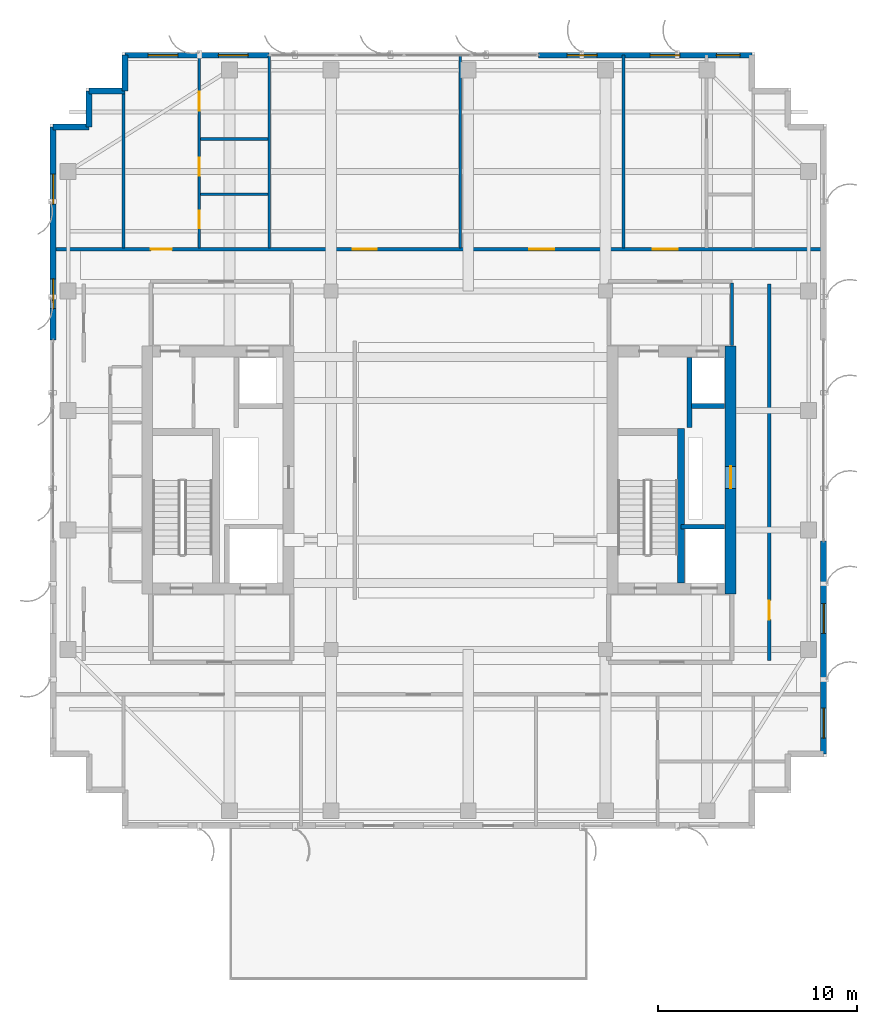
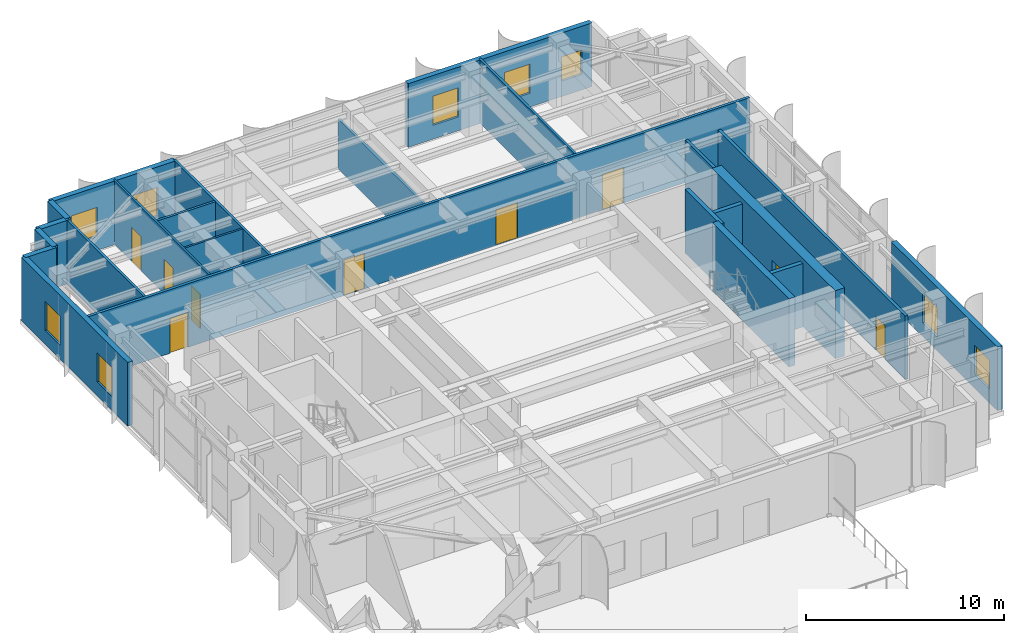
# One storey, part 15 of 19: 23 walls, 9 doors, 9 windows, 18 openings.
"""IFC4 building model written with IfcOpenShell, lengths in metres."""

from ifc_helpers import new_model, si_unit, direction, frame, frame_2d, origin, place, context, subcontext, project, spatial, rectangle, extrude, source, transform, mapped, material, layer, layer_set, type_object, element, fill, save


model = new_model("IFC4")

# Units and contexts
model_context = context("Model", 3, precision=1e-05, world=origin(), true_north=direction((0.0, 1.0)))
body_context = subcontext(model_context, "Body", "Model", "MODEL_VIEW")
ifc_project = project(units=[si_unit("LENGTHUNIT", "METRE"), si_unit("AREAUNIT", "SQUARE_METRE"), si_unit("VOLUMEUNIT", "CUBIC_METRE"), si_unit("PLANEANGLEUNIT", "RADIAN"), si_unit("MASSUNIT", "GRAM", prefix="KILO")], contexts=[model_context])

# Site, building, storey
site_placement = place(None, origin())
site = spatial("IfcSite", under=ifc_project, at=site_placement, CompositionType="ELEMENT")
building_placement = place(site_placement, origin())
building = spatial("IfcBuilding", under=site, at=building_placement, Name="Khoralis Quay Care Tower", CompositionType="ELEMENT")
storey_placement = place(building_placement, frame((0.0, 0.0, 285.300048828125)))
storey = spatial("IfcBuildingStorey", under=building, at=storey_placement, Name="L75", CompositionType="ELEMENT", Elevation=285.300048828125)

# Wall, opening, door
ifc_material_1 = material(Name="Concrete C65/80", Category="concrete")
ifc_layer_1 = layer(ifc_material_1, 0.550048828125)
ifc_layer_set_1 = layer_set([ifc_layer_1], Name="Concrete C65/80")
wall_type_1 = type_object("IfcWallType", Name="WL-CORE-550", PredefinedType="SHEAR", material=ifc_layer_set_1)
wall_1_placement = place(storey_placement, frame((37.175048828125, 14.800048828125, 0.0), z_axis=(0.0, 0.0, 1.0), x_axis=(0.0, 1.0, 0.0)))
wall_1 = element("IfcWall", 1, at=wall_1_placement, inside=storey, type_object=wall_type_1, Name="L75 ECORE East Shear Wall", PredefinedType="SHEAR", context=body_context, shape_type="SweptSolid", body=[
    extrude(rectangle(XDim=12.449951171875, YDim=0.550048828125, at=frame_2d((6.22509765625, 0.0))), origin(), (0.0, 0.0, 1.0), 4.199951171875),
])
opening_1_placement = place(wall_1_placement, frame((5.300048828125, 0.0, 0.0)))
opening_1 = element("IfcOpeningElement", 2, at=opening_1_placement, cuts=wall_1, Name="Opening SD1", PredefinedType="OPENING", context=body_context, shape_type="SweptSolid", body=[
    extrude(rectangle(XDim=1.10009765625, YDim=2.199951171875, at=frame_2d((0.550048828125, 1.10009765625))), frame((0.0, 0.28515625, 0.0), z_axis=(0.0, -1.0, 0.0), x_axis=(1.0, 0.0, 0.0)), (0.0, 0.0, 1.0), 0.570068359375),
])
ifc_material_2 = material(Name="Fire-rated painted steel", Category="steel")
door_type_1 = type_object("IfcDoorType", Name="DR-STAIR-1100X2200", OperationType="NOTDEFINED", PredefinedType="DOOR", material=ifc_material_2)
shared_shape_1 = source(origin(), body_context, "Body", "SweptSolid", [
    extrude(rectangle(XDim=1.10009765625, YDim=2.199951171875, at=frame_2d((0.550048828125, 1.10009765625))), frame((0.0, 0.02490234375, 0.0), z_axis=(0.0, -1.0, 0.0), x_axis=(1.0, 0.0, 0.0)), (0.0, 0.0, 1.0), 0.050048828125),
])
door_1_placement = place(opening_1_placement, frame((1.10009765625, 0.0, 0.0), z_axis=(0.0, 0.0, 1.0), x_axis=(-1.0, 0.0, 0.0)))
door_1 = element("IfcDoor", 3, at=door_1_placement, inside=storey, type_object=door_type_1, Name="L75 East MEP Riser Door", OperationType="SINGLE_SWING_RIGHT", OverallHeight=2.199951171875, OverallWidth=1.10009765625, PredefinedType="DOOR", context=body_context, shape_type="MappedRepresentation", body=[
    mapped(shared_shape_1, transform((0.0, 0.0, 0.0), scale=1.0)),
])
fill(opening_1, door_1)

# Wall
ifc_material_3 = material(Name="Gypsum plasterboard on acoustic metal stud")
ifc_layer_2 = layer(ifc_material_3, 0.1650390625)
ifc_layer_set_2 = layer_set([ifc_layer_2], Name="Gypsum plasterboard on acoustic metal stud")
wall_type_2 = type_object("IfcWallType", Name="WL-CORR-165", PredefinedType="PARTITIONING", material=ifc_layer_set_2)
wall_2_placement = place(storey_placement, frame((37.25, 27.27001953125, 0.0), z_axis=(0.0, 0.0, 1.0), x_axis=(0.0, 1.0, 0.0)))
element("IfcWall", 4, at=wall_2_placement, inside=storey, type_object=wall_type_2, Name="L75 East Lift Lobby East Wall", PredefinedType="PARTITIONING", context=body_context, shape_type="SweptSolid", body=[
    extrude(rectangle(XDim=3.152587890625, YDim=0.1650390625, at=frame_2d((1.576171875, 0.0))), origin(), (0.0, 0.0, 1.0), 3.919921875),
])

# Wall, openings, doors
wall_3_placement = place(storey_placement, frame((3.14501953125, 32.10009765625, 0.0), z_axis=(0.0, 0.0, 1.0), x_axis=(1.0, 0.0, 0.0)))
wall_3 = element("IfcWall", 5, at=wall_3_placement, inside=storey, type_object=wall_type_2, Name="L75 North Gallery Wall", PredefinedType="PARTITIONING", context=body_context, shape_type="SweptSolid", body=[
    extrude(rectangle(XDim=38.7099609375, YDim=0.1650390625, at=frame_2d((19.35498046875, 0.0))), origin(), (0.0, 0.0, 1.0), 3.919921875),
])
opening_2_placement = place(wall_3_placement, frame((4.9130859375, 0.0, 0.0)))
opening_2 = element("IfcOpeningElement", 6, at=opening_2_placement, cuts=wall_3, Name="Opening UD1", PredefinedType="OPENING", context=body_context, shape_type="SweptSolid", body=[
    extrude(rectangle(XDim=1.050048828125, YDim=2.14990234375, at=frame_2d((0.52490234375, 1.074951171875))), frame((0.0, 0.092529296875, 0.0), z_axis=(0.0, -1.0, 0.0), x_axis=(1.0, 0.0, 0.0)), (0.0, 0.0, 1.0), 0.18505859375),
])
opening_3_placement = place(wall_3_placement, frame((15.054931640625, 0.0, 0.0)))
opening_3 = element("IfcOpeningElement", 7, at=opening_3_placement, cuts=wall_3, Name="Opening FD1", PredefinedType="OPENING", context=body_context, shape_type="SweptSolid", body=[
    extrude(rectangle(XDim=1.199951171875, YDim=2.199951171875, at=frame_2d((0.60009765625, 1.10009765625))), frame((0.0, 0.092529296875, 0.0), z_axis=(0.0, -1.0, 0.0), x_axis=(1.0, 0.0, 0.0)), (0.0, 0.0, 1.0), 0.18505859375),
])
opening_4_placement = place(wall_3_placement, frame((23.929931640625, 0.0, 0.0)))
opening_4 = element("IfcOpeningElement", 8, at=opening_4_placement, cuts=wall_3, Name="Opening CD1", PredefinedType="OPENING", context=body_context, shape_type="SweptSolid", body=[
    extrude(rectangle(XDim=1.25, YDim=2.199951171875, at=frame_2d((0.625, 1.10009765625))), frame((0.0, 0.092529296875, 0.0), z_axis=(0.0, -1.0, 0.0), x_axis=(1.0, 0.0, 0.0)), (0.0, 0.0, 1.0), 0.18505859375),
])
opening_5_placement = place(wall_3_placement, frame((30.114990234375, 0.0, 0.0)))
opening_5 = element("IfcOpeningElement", 9, at=opening_5_placement, cuts=wall_3, Name="Opening CD1", PredefinedType="OPENING", context=body_context, shape_type="SweptSolid", body=[
    extrude(rectangle(XDim=1.25, YDim=2.199951171875, at=frame_2d((0.625, 1.10009765625))), frame((0.0, 0.092529296875, 0.0), z_axis=(0.0, -1.0, 0.0), x_axis=(1.0, 0.0, 0.0)), (0.0, 0.0, 1.0), 0.18505859375),
])
door_type_2 = type_object("IfcDoorType", Name="DR-FFL-1200X2200", OperationType="NOTDEFINED", PredefinedType="DOOR", material=ifc_material_2)
shared_shape_2 = source(origin(), body_context, "Body", "SweptSolid", [
    extrude(rectangle(XDim=1.199951171875, YDim=2.199951171875, at=frame_2d((0.60009765625, 1.10009765625))), frame((0.0, 0.02490234375, 0.0), z_axis=(0.0, -1.0, 0.0), x_axis=(1.0, 0.0, 0.0)), (0.0, 0.0, 1.0), 0.050048828125),
])
door_2_placement = place(opening_3_placement, origin())
door_2 = element("IfcDoor", 10, at=door_2_placement, inside=storey, type_object=door_type_2, Name="L75 Assisted Communal Dining Room Door", OperationType="DOUBLE_DOOR_SINGLE_SWING", OverallHeight=2.199951171875, OverallWidth=1.199951171875, PredefinedType="DOOR", context=body_context, shape_type="MappedRepresentation", body=[
    mapped(shared_shape_2, transform((0.0, 0.0, 0.0), scale=1.0)),
])
fill(opening_3, door_2)
ifc_material_4 = material(Name="Acoustic hardwood timber", Category="wood")
door_type_3 = type_object("IfcDoorType", Name="DR-CARE-1250X2200", OperationType="NOTDEFINED", PredefinedType="DOOR", material=ifc_material_4)
shared_shape_3 = source(origin(), body_context, "Body", "SweptSolid", [
    extrude(rectangle(XDim=1.25, YDim=2.199951171875, at=frame_2d((0.625, 1.10009765625))), frame((0.0, 0.02490234375, 0.0), z_axis=(0.0, -1.0, 0.0), x_axis=(1.0, 0.0, 0.0)), (0.0, 0.0, 1.0), 0.050048828125),
])
door_3_placement = place(opening_4_placement, origin())
door_3 = element("IfcDoor", 11, at=door_3_placement, inside=storey, type_object=door_type_3, Name="L75 Geriatric Consultation Clinic Door", OperationType="SINGLE_SWING_LEFT", OverallHeight=2.199951171875, OverallWidth=1.25, PredefinedType="DOOR", context=body_context, shape_type="MappedRepresentation", body=[
    mapped(shared_shape_3, transform((0.0, 0.0, 0.0), scale=1.0)),
])
fill(opening_4, door_3)
door_4_placement = place(opening_5_placement, origin())
door_4 = element("IfcDoor", 12, at=door_4_placement, inside=storey, type_object=door_type_3, Name="L75 Care Suite NB3 Clinical Door", OperationType="SINGLE_SWING_RIGHT", OverallHeight=2.199951171875, OverallWidth=1.25, PredefinedType="DOOR", context=body_context, shape_type="MappedRepresentation", body=[
    mapped(shared_shape_3, transform((0.0, 0.0, 0.0), scale=1.0)),
])
fill(opening_5, door_4)
door_type_4 = type_object("IfcDoorType", Name="DR-SUITE-1050X2150", OperationType="NOTDEFINED", PredefinedType="DOOR", material=ifc_material_4)
shared_shape_4 = source(origin(), body_context, "Body", "SweptSolid", [
    extrude(rectangle(XDim=1.050048828125, YDim=2.14990234375, at=frame_2d((0.52490234375, 1.074951171875))), frame((0.0, 0.02490234375, 0.0), z_axis=(0.0, -1.0, 0.0), x_axis=(1.0, 0.0, 0.0)), (0.0, 0.0, 1.0), 0.050048828125),
])
door_5_placement = place(opening_2_placement, origin())
door_5 = element("IfcDoor", 13, at=door_5_placement, inside=storey, type_object=door_type_4, Name="L75 Apartment NB0 Entrance Door", OperationType="SINGLE_SWING_LEFT", OverallHeight=2.14990234375, OverallWidth=1.050048828125, PredefinedType="DOOR", context=body_context, shape_type="MappedRepresentation", body=[
    mapped(shared_shape_4, transform((0.0, 0.0, 0.0), scale=1.0)),
])
fill(opening_2, door_5)

# Wall, opening, door
wall_4_placement = place(storey_placement, frame((39.1201171875, 11.449951171875, 0.0), z_axis=(0.0, 0.0, 1.0), x_axis=(0.0, 1.0, 0.0)))
wall_4 = element("IfcWall", 14, at=wall_4_placement, inside=storey, type_object=wall_type_2, Name="L75 East Sky Clinic Wall", PredefinedType="PARTITIONING", context=body_context, shape_type="SweptSolid", body=[
    extrude(rectangle(XDim=18.900146484375, YDim=0.1650390625, at=frame_2d((9.4501953125, 0.0))), origin(), (0.0, 0.0, 1.0), 3.919921875),
])
opening_6_placement = place(wall_4_placement, frame((2.050048828125, 0.0, 0.0)))
opening_6 = element("IfcOpeningElement", 15, at=opening_6_placement, cuts=wall_4, Name="Opening ID1", PredefinedType="OPENING", context=body_context, shape_type="SweptSolid", body=[
    extrude(rectangle(XDim=0.949951171875, YDim=2.10009765625, at=frame_2d((0.47509765625, 1.050048828125))), frame((0.0, 0.092529296875, 0.0), z_axis=(0.0, -1.0, 0.0), x_axis=(1.0, 0.0, 0.0)), (0.0, 0.0, 1.0), 0.18505859375),
])
door_type_5 = type_object("IfcDoorType", Name="DR-ROOM-950X2100", OperationType="NOTDEFINED", PredefinedType="DOOR", material=ifc_material_4)
shared_shape_5 = source(origin(), body_context, "Body", "SweptSolid", [
    extrude(rectangle(XDim=0.949951171875, YDim=2.10009765625, at=frame_2d((0.47509765625, 1.050048828125))), frame((0.0, 0.02490234375, 0.0), z_axis=(0.0, -1.0, 0.0), x_axis=(1.0, 0.0, 0.0)), (0.0, 0.0, 1.0), 0.050048828125),
])
door_6_placement = place(opening_6_placement, origin())
door_6 = element("IfcDoor", 16, at=door_6_placement, inside=storey, type_object=door_type_5, Name="L75 East Sky Clinic Door", OperationType="SINGLE_SWING_RIGHT", OverallHeight=2.10009765625, OverallWidth=0.949951171875, PredefinedType="DOOR", context=body_context, shape_type="MappedRepresentation", body=[
    mapped(shared_shape_5, transform((0.0, 0.0, 0.0), scale=1.0)),
])
fill(opening_6, door_6)

# Wall, openings, windows
ifc_material_5 = material(Name="Precast concrete C45/55", Category="concrete")
ifc_layer_3 = layer(ifc_material_5, 0.300048828125)
ifc_layer_set_3 = layer_set([ifc_layer_3], Name="Precast concrete C45/55")
wall_type_3 = type_object("IfcWallType", Name="WL-EXT-REF-300", PredefinedType="SOLIDWALL", material=ifc_layer_set_3)
wall_5_placement = place(storey_placement, frame((41.85009765625, 6.75, 0.0), z_axis=(0.0, 0.0, 1.0), x_axis=(0.0, 1.0, 0.0)))
wall_5 = element("IfcWall", 17, at=wall_5_placement, inside=storey, type_object=wall_type_3, Name="L75 External Facade Wall WL-EXT-L75-P1-E5A", PredefinedType="SOLIDWALL", context=body_context, shape_type="SweptSolid", body=[
    extrude(rectangle(XDim=10.7099609375, YDim=0.300048828125, at=frame_2d((5.35498046875, 0.0))), origin(), (0.0, 0.0, 1.0), 3.919921875),
])
opening_7_placement = place(wall_5_placement, frame((0.800048828125, 0.0, 0.85009765625)))
opening_7 = element("IfcOpeningElement", 18, at=opening_7_placement, cuts=wall_5, Name="Opening W3", PredefinedType="OPENING", context=body_context, shape_type="SweptSolid", body=[
    extrude(rectangle(XDim=1.5, YDim=1.800048828125, at=frame_2d((0.75, 0.89990234375))), frame((0.0, 0.16015625, 0.0), z_axis=(0.0, -1.0, 0.0), x_axis=(1.0, 0.0, 0.0)), (0.0, 0.0, 1.0), 0.320068359375),
])
opening_8_placement = place(wall_5_placement, frame((6.054931640625, 0.0, 0.85009765625)))
opening_8 = element("IfcOpeningElement", 19, at=opening_8_placement, cuts=wall_5, Name="Opening W3", PredefinedType="OPENING", context=body_context, shape_type="SweptSolid", body=[
    extrude(rectangle(XDim=1.5, YDim=1.800048828125, at=frame_2d((0.75, 0.89990234375))), frame((0.0, 0.16015625, 0.0), z_axis=(0.0, -1.0, 0.0), x_axis=(1.0, 0.0, 0.0)), (0.0, 0.0, 1.0), 0.320068359375),
])
ifc_material_6 = material(Name="Low-E solar-control double glazing", Category="glass")
window_type_1 = type_object("IfcWindowType", Name="WN-CLIN-1500X1800", PartitioningType="SINGLE_PANEL", PredefinedType="WINDOW", material=ifc_material_6)
shared_shape_6 = source(origin(), body_context, "Body", "SweptSolid", [
    extrude(rectangle(XDim=1.5, YDim=1.800048828125, at=frame_2d((0.75, 0.89990234375))), frame((0.0, 0.030029296875, 0.0), z_axis=(0.0, -1.0, 0.0), x_axis=(1.0, 0.0, 0.0)), (0.0, 0.0, 1.0), 0.06005859375),
])
window_1_placement = place(opening_7_placement, origin())
window_1 = element("IfcWindow", 20, at=window_1_placement, inside=storey, type_object=window_type_1, Name="WN-L75-P1-E5A Facade Window 01", OverallHeight=1.800048828125, OverallWidth=1.5, PartitioningType="SINGLE_PANEL", PredefinedType="WINDOW", context=body_context, shape_type="MappedRepresentation", body=[
    mapped(shared_shape_6, transform((0.0, 0.0, 0.0), scale=1.0)),
])
fill(opening_7, window_1)
window_2_placement = place(opening_8_placement, origin())
window_2 = element("IfcWindow", 21, at=window_2_placement, inside=storey, type_object=window_type_1, Name="WN-L75-P1-E5A Facade Window 02", OverallHeight=1.800048828125, OverallWidth=1.5, PartitioningType="SINGLE_PANEL", PredefinedType="WINDOW", context=body_context, shape_type="MappedRepresentation", body=[
    mapped(shared_shape_6, transform((0.0, 0.0, 0.0), scale=1.0)),
])
fill(opening_8, window_2)

wall_6_placement = place(storey_placement, frame((38.25, 41.85009765625, 0.0), z_axis=(0.0, 0.0, 1.0), x_axis=(-1.0, 0.0, 0.0)))
wall_6 = element("IfcWall", 22, at=wall_6_placement, inside=storey, type_object=wall_type_3, Name="L75 External Facade Wall WL-EXT-L75-P1-E10A", PredefinedType="SOLIDWALL", context=body_context, shape_type="SweptSolid", body=[
    extrude(rectangle(XDim=10.7099609375, YDim=0.300048828125, at=frame_2d((5.35498046875, 0.0))), origin(), (0.0, 0.0, 1.0), 3.919921875),
])
opening_9_placement = place(wall_6_placement, frame((0.590087890625, 0.0, 0.949951171875)))
opening_9 = element("IfcOpeningElement", 23, at=opening_9_placement, cuts=wall_6, Name="Opening W6", PredefinedType="OPENING", context=body_context, shape_type="SweptSolid", body=[
    extrude(rectangle(XDim=1.199951171875, YDim=1.5, at=frame_2d((0.60009765625, 0.75))), frame((0.0, 0.16015625, 0.0), z_axis=(0.0, -1.0, 0.0), x_axis=(1.0, 0.0, 0.0)), (0.0, 0.0, 1.0), 0.320068359375),
])
opening_10_placement = place(wall_6_placement, frame((3.614990234375, 0.0, 0.85009765625)))
opening_10 = element("IfcOpeningElement", 24, at=opening_10_placement, cuts=wall_6, Name="Opening W3", PredefinedType="OPENING", context=body_context, shape_type="SweptSolid", body=[
    extrude(rectangle(XDim=1.5, YDim=1.800048828125, at=frame_2d((0.75, 0.89990234375))), frame((0.0, 0.16015625, 0.0), z_axis=(0.0, -1.0, 0.0), x_axis=(1.0, 0.0, 0.0)), (0.0, 0.0, 1.0), 0.320068359375),
])
opening_11_placement = place(wall_6_placement, frame((7.780029296875, 0.0, 0.85009765625)))
opening_11 = element("IfcOpeningElement", 25, at=opening_11_placement, cuts=wall_6, Name="Opening W3", PredefinedType="OPENING", context=body_context, shape_type="SweptSolid", body=[
    extrude(rectangle(XDim=1.5, YDim=1.800048828125, at=frame_2d((0.75, 0.89990234375))), frame((0.0, 0.16015625, 0.0), z_axis=(0.0, -1.0, 0.0), x_axis=(1.0, 0.0, 0.0)), (0.0, 0.0, 1.0), 0.320068359375),
])
window_3_placement = place(opening_10_placement, origin())
window_3 = element("IfcWindow", 26, at=window_3_placement, inside=storey, type_object=window_type_1, Name="WN-L75-P1-E10A Facade Window 02", OverallHeight=1.800048828125, OverallWidth=1.5, PartitioningType="SINGLE_PANEL", PredefinedType="WINDOW", context=body_context, shape_type="MappedRepresentation", body=[
    mapped(shared_shape_6, transform((0.0, 0.0, 0.0), scale=1.0)),
])
fill(opening_10, window_3)
window_4_placement = place(opening_11_placement, origin())
window_4 = element("IfcWindow", 27, at=window_4_placement, inside=storey, type_object=window_type_1, Name="WN-L75-P1-E10A Facade Window 03", OverallHeight=1.800048828125, OverallWidth=1.5, PartitioningType="SINGLE_PANEL", PredefinedType="WINDOW", context=body_context, shape_type="MappedRepresentation", body=[
    mapped(shared_shape_6, transform((0.0, 0.0, 0.0), scale=1.0)),
])
fill(opening_11, window_4)
window_type_2 = type_object("IfcWindowType", Name="WN-SCH-1200X1500", PartitioningType="SINGLE_PANEL", PredefinedType="WINDOW", material=ifc_material_6)
shared_shape_7 = source(origin(), body_context, "Body", "SweptSolid", [
    extrude(rectangle(XDim=1.199951171875, YDim=1.5, at=frame_2d((0.60009765625, 0.75))), frame((0.0, 0.030029296875, 0.0), z_axis=(0.0, -1.0, 0.0), x_axis=(1.0, 0.0, 0.0)), (0.0, 0.0, 1.0), 0.06005859375),
])
window_5_placement = place(opening_9_placement, origin())
window_5 = element("IfcWindow", 28, at=window_5_placement, inside=storey, type_object=window_type_2, Name="WN-L75-P1-E10A Facade Window 01", OverallHeight=1.5, OverallWidth=1.199951171875, PartitioningType="SINGLE_PANEL", PredefinedType="WINDOW", context=body_context, shape_type="MappedRepresentation", body=[
    mapped(shared_shape_7, transform((0.0, 0.0, 0.0), scale=1.0)),
])
fill(opening_9, window_5)

wall_7_placement = place(storey_placement, frame((14.0, 41.85009765625, 0.0), z_axis=(0.0, 0.0, 1.0), x_axis=(-1.0, 0.0, 0.0)))
wall_7 = element("IfcWall", 29, at=wall_7_placement, inside=storey, type_object=wall_type_3, Name="L75 External Facade Wall WL-EXT-L75-P1-E10B", PredefinedType="SOLIDWALL", context=body_context, shape_type="SweptSolid", body=[
    extrude(rectangle(XDim=7.25, YDim=0.300048828125, at=frame_2d((3.625, 0.0))), origin(), (0.0, 0.0, 1.0), 3.919921875),
])
opening_12_placement = place(wall_7_placement, frame((1.056884765625, 0.0, 0.85009765625)))
opening_12 = element("IfcOpeningElement", 30, at=opening_12_placement, cuts=wall_7, Name="Opening W3", PredefinedType="OPENING", context=body_context, shape_type="SweptSolid", body=[
    extrude(rectangle(XDim=1.5, YDim=1.800048828125, at=frame_2d((0.75, 0.89990234375))), frame((0.0, 0.16015625, 0.0), z_axis=(0.0, -1.0, 0.0), x_axis=(1.0, 0.0, 0.0)), (0.0, 0.0, 1.0), 0.320068359375),
])
opening_13_placement = place(wall_7_placement, frame((4.58203125, 0.0, 0.85009765625)))
opening_13 = element("IfcOpeningElement", 31, at=opening_13_placement, cuts=wall_7, Name="Opening W3", PredefinedType="OPENING", context=body_context, shape_type="SweptSolid", body=[
    extrude(rectangle(XDim=1.5, YDim=1.800048828125, at=frame_2d((0.75, 0.89990234375))), frame((0.0, 0.16015625, 0.0), z_axis=(0.0, -1.0, 0.0), x_axis=(1.0, 0.0, 0.0)), (0.0, 0.0, 1.0), 0.320068359375),
])
window_6_placement = place(opening_12_placement, origin())
window_6 = element("IfcWindow", 32, at=window_6_placement, inside=storey, type_object=window_type_1, Name="WN-L75-P1-E10B Facade Window 01", OverallHeight=1.800048828125, OverallWidth=1.5, PartitioningType="SINGLE_PANEL", PredefinedType="WINDOW", context=body_context, shape_type="MappedRepresentation", body=[
    mapped(shared_shape_6, transform((0.0, 0.0, 0.0), scale=1.0)),
])
fill(opening_12, window_6)
window_7_placement = place(opening_13_placement, origin())
window_7 = element("IfcWindow", 33, at=window_7_placement, inside=storey, type_object=window_type_1, Name="WN-L75-P1-E10B Facade Window 02", OverallHeight=1.800048828125, OverallWidth=1.5, PartitioningType="SINGLE_PANEL", PredefinedType="WINDOW", context=body_context, shape_type="MappedRepresentation", body=[
    mapped(shared_shape_6, transform((0.0, 0.0, 0.0), scale=1.0)),
])
fill(opening_13, window_7)

# Walls
for number, where, z_axis, x_axis, name in (
    (34, (6.75, 41.85009765625, 0.0), (0.0, 0.0, 1.0), (0.0, -1.0, 0.0), "L75 External Facade Wall WL-EXT-L75-P1-C11"),
    (35, (6.75, 40.050048828125, 0.0), (0.0, 0.0, 1.0), (-1.0, 0.0, 0.0), "L75 External Facade Wall WL-EXT-L75-P1-C12"),
    (36, (4.949951171875, 40.050048828125, 0.0), (0.0, 0.0, 1.0), (0.0, -1.0, 0.0), "L75 External Facade Wall WL-EXT-L75-P1-C13"),
    (37, (4.949951171875, 38.25, 0.0), (0.0, 0.0, 1.0), (-1.0, 0.0, 0.0), "L75 External Facade Wall WL-EXT-L75-P1-C14"),
):
    element("IfcWall", number, at=place(storey_placement, frame(where, z_axis=z_axis, x_axis=x_axis)), inside=storey, type_object=wall_type_3, Name=name, PredefinedType="SOLIDWALL", context=body_context, shape_type="SweptSolid", body=[
        extrude(rectangle(XDim=1.800048828125, YDim=0.300048828125, at=frame_2d((0.89990234375, 0.0))), origin(), (0.0, 0.0, 1.0), 3.919921875),
    ])

# Wall, openings, windows
wall_8_placement = place(storey_placement, frame((3.14990234375, 38.25, 0.0), z_axis=(0.0, 0.0, 1.0), x_axis=(0.0, -1.0, 0.0)))
wall_8 = element("IfcWall", 38, at=wall_8_placement, inside=storey, type_object=wall_type_3, Name="L75 External Facade Wall WL-EXT-L75-P1-E15A", PredefinedType="SOLIDWALL", context=body_context, shape_type="SweptSolid", body=[
    extrude(rectangle(XDim=10.7099609375, YDim=0.300048828125, at=frame_2d((5.35498046875, 0.0))), origin(), (0.0, 0.0, 1.0), 3.919921875),
])
opening_14_placement = place(wall_8_placement, frame((2.375, 0.0, 0.85009765625)))
opening_14 = element("IfcOpeningElement", 39, at=opening_14_placement, cuts=wall_8, Name="Opening W3", PredefinedType="OPENING", context=body_context, shape_type="SweptSolid", body=[
    extrude(rectangle(XDim=1.5, YDim=1.800048828125, at=frame_2d((0.75, 0.89990234375))), frame((0.0, 0.16015625, 0.0), z_axis=(0.0, -1.0, 0.0), x_axis=(1.0, 0.0, 0.0)), (0.0, 0.0, 1.0), 0.320068359375),
])
opening_15_placement = place(wall_8_placement, frame((7.6298828125, 0.0, 0.85009765625)))
opening_15 = element("IfcOpeningElement", 40, at=opening_15_placement, cuts=wall_8, Name="Opening W3", PredefinedType="OPENING", context=body_context, shape_type="SweptSolid", body=[
    extrude(rectangle(XDim=1.5, YDim=1.800048828125, at=frame_2d((0.75, 0.89990234375))), frame((0.0, 0.16015625, 0.0), z_axis=(0.0, -1.0, 0.0), x_axis=(1.0, 0.0, 0.0)), (0.0, 0.0, 1.0), 0.320068359375),
])
window_8_placement = place(opening_14_placement, origin())
window_8 = element("IfcWindow", 41, at=window_8_placement, inside=storey, type_object=window_type_1, Name="WN-L75-P1-E15A Facade Window 01", OverallHeight=1.800048828125, OverallWidth=1.5, PartitioningType="SINGLE_PANEL", PredefinedType="WINDOW", context=body_context, shape_type="MappedRepresentation", body=[
    mapped(shared_shape_6, transform((0.0, 0.0, 0.0), scale=1.0)),
])
fill(opening_14, window_8)
window_9_placement = place(opening_15_placement, origin())
window_9 = element("IfcWindow", 42, at=window_9_placement, inside=storey, type_object=window_type_1, Name="WN-L75-P1-E15A Facade Window 02", OverallHeight=1.800048828125, OverallWidth=1.5, PartitioningType="SINGLE_PANEL", PredefinedType="WINDOW", context=body_context, shape_type="MappedRepresentation", body=[
    mapped(shared_shape_6, transform((0.0, 0.0, 0.0), scale=1.0)),
])
fill(opening_15, window_9)

# Wall, openings, doors
ifc_layer_4 = layer(ifc_material_3, 0.114990234375)
ifc_layer_set_4 = layer_set([ifc_layer_4], Name="Gypsum plasterboard on acoustic metal stud")
wall_type_4 = type_object("IfcWallType", Name="WL-PART-115", PredefinedType="PARTITIONING", material=ifc_layer_set_4)
wall_9_placement = place(storey_placement, frame((10.486083984375, 32.177490234375, 0.0), z_axis=(0.0, 0.0, 1.0), x_axis=(0.0, 1.0, 0.0)))
wall_9 = element("IfcWall", 43, at=wall_9_placement, inside=storey, type_object=wall_type_4, Name="L75 Unit 0 Internal Wall", PredefinedType="PARTITIONING", context=body_context, shape_type="SweptSolid", body=[
    extrude(rectangle(XDim=9.677490234375, YDim=0.114990234375, at=frame_2d((4.8388671875, 0.0))), origin(), (0.0, 0.0, 1.0), 3.919921875),
])
opening_16_placement = place(wall_9_placement, frame((6.89453125, 0.0, 0.0)))
opening_16 = element("IfcOpeningElement", 44, at=opening_16_placement, cuts=wall_9, Name="Opening ID1", PredefinedType="OPENING", context=body_context, shape_type="SweptSolid", body=[
    extrude(rectangle(XDim=0.949951171875, YDim=2.10009765625, at=frame_2d((0.47509765625, 1.050048828125))), frame((0.0, 0.0673828125, 0.0), z_axis=(0.0, -1.0, 0.0), x_axis=(1.0, 0.0, 0.0)), (0.0, 0.0, 1.0), 0.135009765625),
])
opening_17_placement = place(wall_9_placement, frame((3.630615234375, 0.0, 0.0)))
opening_17 = element("IfcOpeningElement", 45, at=opening_17_placement, cuts=wall_9, Name="Opening WD1", PredefinedType="OPENING", context=body_context, shape_type="SweptSolid", body=[
    extrude(rectangle(XDim=0.89990234375, YDim=2.10009765625, at=frame_2d((0.449951171875, 1.050048828125))), frame((0.0, 0.0673828125, 0.0), z_axis=(0.0, -1.0, 0.0), x_axis=(1.0, 0.0, 0.0)), (0.0, 0.0, 1.0), 0.135009765625),
])
opening_18_placement = place(wall_9_placement, frame((0.973388671875, 0.0, 0.0)))
opening_18 = element("IfcOpeningElement", 46, at=opening_18_placement, cuts=wall_9, Name="Opening WD1", PredefinedType="OPENING", context=body_context, shape_type="SweptSolid", body=[
    extrude(rectangle(XDim=0.89990234375, YDim=2.10009765625, at=frame_2d((0.449951171875, 1.050048828125))), frame((0.0, 0.0673828125, 0.0), z_axis=(0.0, -1.0, 0.0), x_axis=(1.0, 0.0, 0.0)), (0.0, 0.0, 1.0), 0.135009765625),
])
door_type_6 = type_object("IfcDoorType", Name="DR-BATH-900X2100", OperationType="NOTDEFINED", PredefinedType="DOOR", material=ifc_material_4)
shared_shape_8 = source(origin(), body_context, "Body", "SweptSolid", [
    extrude(rectangle(XDim=0.89990234375, YDim=2.10009765625, at=frame_2d((0.449951171875, 1.050048828125))), frame((0.0, 0.02490234375, 0.0), z_axis=(0.0, -1.0, 0.0), x_axis=(1.0, 0.0, 0.0)), (0.0, 0.0, 1.0), 0.050048828125),
])
door_7_placement = place(opening_17_placement, frame((0.89990234375, 0.0, 0.0), z_axis=(0.0, 0.0, 1.0), x_axis=(-1.0, 0.0, 0.0)))
door_7 = element("IfcDoor", 47, at=door_7_placement, inside=storey, type_object=door_type_6, Name="L75 Apartment NB0 KIT Door", OperationType="SINGLE_SWING_LEFT", OverallHeight=2.10009765625, OverallWidth=0.89990234375, PredefinedType="DOOR", context=body_context, shape_type="MappedRepresentation", body=[
    mapped(shared_shape_8, transform((0.0, 0.0, 0.0), scale=1.0)),
])
fill(opening_17, door_7)
door_8_placement = place(opening_18_placement, frame((0.89990234375, 0.0, 0.0), z_axis=(0.0, 0.0, 1.0), x_axis=(-1.0, 0.0, 0.0)))
door_8 = element("IfcDoor", 48, at=door_8_placement, inside=storey, type_object=door_type_6, Name="L75 Apartment NB0 BTH Door", OperationType="SINGLE_SWING_RIGHT", OverallHeight=2.10009765625, OverallWidth=0.89990234375, PredefinedType="DOOR", context=body_context, shape_type="MappedRepresentation", body=[
    mapped(shared_shape_8, transform((0.0, 0.0, 0.0), scale=1.0)),
])
fill(opening_18, door_8)
door_9_placement = place(opening_16_placement, frame((0.949951171875, 0.0, 0.0), z_axis=(0.0, 0.0, 1.0), x_axis=(-1.0, 0.0, 0.0)))
door_9 = element("IfcDoor", 49, at=door_9_placement, inside=storey, type_object=door_type_5, Name="L75 Apartment NB0 BED Door", OperationType="SINGLE_SWING_RIGHT", OverallHeight=2.10009765625, OverallWidth=0.949951171875, PredefinedType="DOOR", context=body_context, shape_type="MappedRepresentation", body=[
    mapped(shared_shape_5, transform((0.0, 0.0, 0.0), scale=1.0)),
])
fill(opening_16, door_9)

# Walls
wall_10_placement = place(storey_placement, frame((10.53857421875, 34.8720703125, 0.0), z_axis=(0.0, 0.0, 1.0), x_axis=(1.0, 0.0, 0.0)))
element("IfcWall", 50, at=wall_10_placement, inside=storey, type_object=wall_type_4, Name="L75 Unit 0 Kitchen Wall", PredefinedType="PARTITIONING", context=body_context, shape_type="SweptSolid", body=[
    extrude(rectangle(XDim=3.396484375, YDim=0.114990234375, at=frame_2d((1.6982421875, 0.0))), origin(), (0.0, 0.0, 1.0), 3.919921875),
])
ifc_material_7 = material(Name="Moisture-resistant gypsum and ceramic tile")
ifc_layer_5 = layer(ifc_material_7, 0.280029296875)
ifc_layer_set_5 = layer_set([ifc_layer_5], Name="Moisture-resistant gypsum and ceramic tile")
wall_type_5 = type_object("IfcWallType", Name="WL-PLUMB-280", PredefinedType="PLUMBINGWALL", material=ifc_layer_set_5)
wall_11_placement = place(storey_placement, frame((10.53857421875, 37.64404296875, 0.0), z_axis=(0.0, 0.0, 1.0), x_axis=(1.0, 0.0, 0.0)))
element("IfcWall", 51, at=wall_11_placement, inside=storey, type_object=wall_type_5, Name="L75 Unit 0 Wet Wall", PredefinedType="PLUMBINGWALL", context=body_context, shape_type="SweptSolid", body=[
    extrude(rectangle(XDim=3.396484375, YDim=0.139892578125, at=frame_2d((1.6982421875, 0.0))), origin(), (0.0, 0.0, 1.0), 3.919921875),
])
ifc_material_8 = material(Name="Concrete C40/50", Category="concrete")
ifc_layer_6 = layer(ifc_material_8, 0.35009765625)
ifc_layer_set_6 = layer_set([ifc_layer_6], Name="Concrete C40/50")
wall_type_6 = type_object("IfcWallType", Name="WL-SC-CORE-350", PredefinedType="SHEAR", material=ifc_layer_set_6)
wall_12_placement = place(storey_placement, frame((34.695068359375, 15.35009765625, 0.0), z_axis=(0.0, 0.0, 1.0), x_axis=(0.0, 1.0, 0.0)))
element("IfcWall", 52, at=wall_12_placement, inside=storey, type_object=wall_type_6, Name="L75 Stair ST-T2 Shear Baffle Wall East", PredefinedType="SHEAR", context=body_context, shape_type="SweptSolid", body=[
    extrude(rectangle(XDim=7.75, YDim=0.35009765625, at=frame_2d((3.875, 0.0))), origin(), (0.0, 0.0, 1.0), 4.199951171875),
])
ifc_layer_7 = layer(ifc_material_3, 0.239990234375)
ifc_layer_set_7 = layer_set([ifc_layer_7], Name="Gypsum plasterboard on acoustic metal stud")
wall_type_7 = type_object("IfcWallType", Name="WL-SHAFT-240", PredefinedType="PARTITIONING", material=ifc_layer_set_7)
wall_13_placement = place(storey_placement, frame((34.679931640625, 18.169921875, 0.0), z_axis=(0.0, 0.0, 1.0), x_axis=(1.0, 0.0, 0.0)))
element("IfcWall", 53, at=wall_13_placement, inside=storey, type_object=wall_type_7, Name="L75 FFL-2 Shaft Wall North", PredefinedType="PARTITIONING", context=body_context, shape_type="SweptSolid", body=[
    extrude(rectangle(XDim=2.199951171875, YDim=0.239990234375, at=frame_2d((1.10009765625, 0.0))), origin(), (0.0, 0.0, 1.0), 3.919921875),
])
wall_14_placement = place(storey_placement, frame((35.110107421875, 23.139892578125, 0.0), z_axis=(0.0, 0.0, 1.0), x_axis=(0.0, 1.0, 0.0)))
element("IfcWall", 54, at=wall_14_placement, inside=storey, type_object=wall_type_7, Name="L75 High-Rise Reclaimed Bay Wall East", PredefinedType="PARTITIONING", context=body_context, shape_type="SweptSolid", body=[
    extrude(rectangle(XDim=3.5400390625, YDim=0.239990234375, at=frame_2d((1.77001953125, 0.0))), origin(), (0.0, 0.0, 1.0), 3.919921875),
])
wall_15_placement = place(storey_placement, frame((35.22509765625, 24.22998046875, 0.0), z_axis=(0.0, 0.0, 1.0), x_axis=(1.0, 0.0, 0.0)))
element("IfcWall", 55, at=wall_15_placement, inside=storey, type_object=wall_type_7, Name="L75 High-Rise Shaft South Wall East", PredefinedType="PARTITIONING", context=body_context, shape_type="SweptSolid", body=[
    extrude(rectangle(XDim=1.65478515625, YDim=0.239990234375, at=frame_2d((0.827392578125, 0.0))), origin(), (0.0, 0.0, 1.0), 3.919921875),
])
ifc_layer_8 = layer(ifc_material_3, 0.139892578125)
ifc_layer_set_8 = layer_set([ifc_layer_8], Name="Gypsum plasterboard on acoustic metal stud")
wall_type_8 = type_object("IfcWallType", Name="WL-UNIT-140", PredefinedType="PARTITIONING", material=ifc_layer_set_8)
wall_16_placement = place(storey_placement, frame((6.679931640625, 32.177490234375, 0.0), z_axis=(0.0, 0.0, 1.0), x_axis=(0.0, 1.0, 0.0)))
element("IfcWall", 56, at=wall_16_placement, inside=storey, type_object=wall_type_8, Name="L75 NB Demising Wall 0", PredefinedType="PARTITIONING", context=body_context, shape_type="SweptSolid", body=[
    extrude(rectangle(XDim=7.87744140625, YDim=0.139892578125, at=frame_2d((3.938720703125, 0.0))), origin(), (0.0, 0.0, 1.0), 3.919921875),
])
wall_17_placement = place(storey_placement, frame((14.0, 32.177490234375, 0.0), z_axis=(0.0, 0.0, 1.0), x_axis=(0.0, 1.0, 0.0)))
element("IfcWall", 57, at=wall_17_placement, inside=storey, type_object=wall_type_8, Name="L75 NB Demising Wall 1", PredefinedType="PARTITIONING", context=body_context, shape_type="SweptSolid", body=[
    extrude(rectangle(XDim=9.677490234375, YDim=0.139892578125, at=frame_2d((4.8388671875, 0.0))), origin(), (0.0, 0.0, 1.0), 3.919921875),
])
wall_18_placement = place(storey_placement, frame((23.60009765625, 32.177490234375, 0.0), z_axis=(0.0, 0.0, 1.0), x_axis=(0.0, 1.0, 0.0)))
element("IfcWall", 58, at=wall_18_placement, inside=storey, type_object=wall_type_8, Name="L75 NB Demising Wall 2", PredefinedType="PARTITIONING", context=body_context, shape_type="SweptSolid", body=[
    extrude(rectangle(XDim=9.677490234375, YDim=0.139892578125, at=frame_2d((4.8388671875, 0.0))), origin(), (0.0, 0.0, 1.0), 3.070068359375),
])
wall_19_placement = place(storey_placement, frame((31.800048828125, 32.177490234375, 0.0), z_axis=(0.0, 0.0, 1.0), x_axis=(0.0, 1.0, 0.0)))
element("IfcWall", 59, at=wall_19_placement, inside=storey, type_object=wall_type_8, Name="L75 NB Demising Wall 3", PredefinedType="PARTITIONING", context=body_context, shape_type="SweptSolid", body=[
    extrude(rectangle(XDim=9.677490234375, YDim=0.139892578125, at=frame_2d((4.8388671875, 0.0))), origin(), (0.0, 0.0, 1.0), 3.919921875),
])

save(model, "model.ifc")
